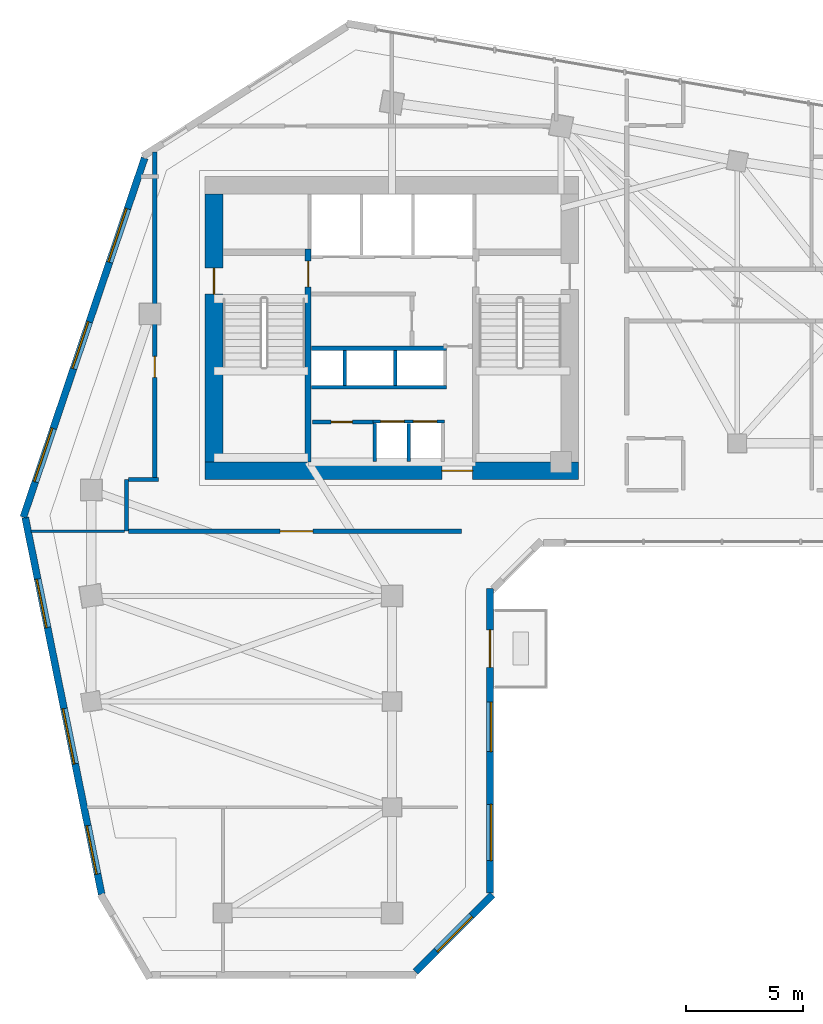
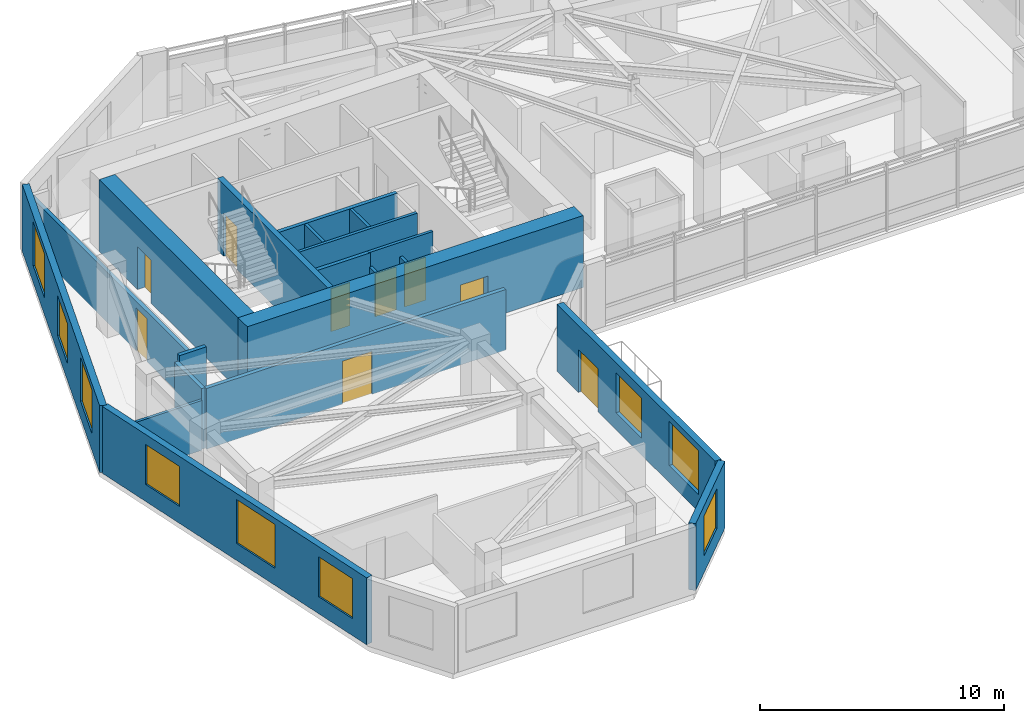
# One storey, part 4 of 10: 20 walls, 9 doors, 9 windows, 18 openings.
"""IFC4 building model written with IfcOpenShell, lengths in metres."""

from ifc_helpers import new_model, si_unit, direction, frame, frame_2d, origin, place, context, subcontext, project, spatial, rectangle, extrude, source, transform, mapped, material, layer, layer_set, type_object, element, fill, save


model = new_model("IFC4")

# Units and contexts
model_context = context("Model", 3, precision=1e-05, world=origin(), true_north=direction((0.0, 1.0)))
body_context = subcontext(model_context, "Body", "Model", "MODEL_VIEW")
ifc_project = project(units=[si_unit("LENGTHUNIT", "METRE"), si_unit("AREAUNIT", "SQUARE_METRE"), si_unit("VOLUMEUNIT", "CUBIC_METRE"), si_unit("PLANEANGLEUNIT", "RADIAN"), si_unit("MASSUNIT", "GRAM", prefix="KILO")], contexts=[model_context])

# Site, building, storey
site_placement = place(None, origin())
site = spatial("IfcSite", under=ifc_project, at=site_placement, CompositionType="ELEMENT")
building_placement = place(site_placement, origin())
building = spatial("IfcBuilding", under=site, at=building_placement, Name="Calvemar Wedge Station Tower", CompositionType="ELEMENT")
storey_placement = place(building_placement, frame((0.0, 0.0, 153.800048828125)))
storey = spatial("IfcBuildingStorey", under=building, at=storey_placement, Name="L38", CompositionType="ELEMENT", Elevation=153.800048828125)

# Wall, opening, door
ifc_material_1 = material(Name="Concrete C50", Category="concrete")
ifc_layer_1 = layer(ifc_material_1, 0.260009765625)
ifc_layer_set_1 = layer_set([ifc_layer_1], Name="Concrete C50")
wall_type_1 = type_object("IfcWallType", Name="SW-CORE-260", PredefinedType="SHEAR", material=ifc_layer_set_1)
wall_1_placement = place(storey_placement, frame((20.22998046875, 34.199951171875, 0.0), z_axis=(0.0, 0.0, 1.0), x_axis=(0.0, 1.0, 0.0)))
wall_1 = element("IfcWall", 1, at=wall_1_placement, inside=storey, type_object=wall_type_1, Name="Storey L38 Core Shear Wall SPINE-W", PredefinedType="SHEAR", context=body_context, shape_type="SweptSolid", body=[
    extrude(rectangle(XDim=9.06005859375, YDim=0.260009765625, at=frame_2d((4.530029296875, 0.0))), origin(), (0.0, 0.0, 1.0), 3.599853515625),
])
shared_shape_1 = source(origin(), body_context, "Body", "SweptSolid", [
    extrude(rectangle(XDim=1.10009765625, YDim=2.14990234375, at=frame_2d((0.550048828125, 1.074951171875))), frame((0.0, 0.14013671875, 0.0), z_axis=(0.0, -1.0, 0.0), x_axis=(1.0, 0.0, 0.0)), (0.0, 0.0, 1.0), 0.280029296875),
])
opening_1_placement = place(wall_1_placement, frame((7.449951171875, 0.0, 0.0)))
opening_1 = element("IfcOpeningElement", 2, at=opening_1_placement, cuts=wall_1, Name="Opening FD-90", PredefinedType="OPENING", context=body_context, shape_type="MappedRepresentation", body=[
    mapped(shared_shape_1, transform((0.0, 0.0, 0.0), scale=1.0)),
])
ifc_material_2 = material(Name="Galvanized fire-rated steel door leaf P-90", Category="steel")
door_type_1 = type_object("IfcDoorType", Name="DR-FD90-1100", OperationType="NOTDEFINED", PredefinedType="DOOR", material=ifc_material_2)
shared_shape_2 = source(origin(), body_context, "Body", "SweptSolid", [
    extrude(rectangle(XDim=1.10009765625, YDim=2.14990234375, at=frame_2d((0.550048828125, 1.074951171875))), frame((0.0, 0.02490234375, 0.0), z_axis=(0.0, -1.0, 0.0), x_axis=(1.0, 0.0, 0.0)), (0.0, 0.0, 1.0), 0.050048828125),
])
door_1_placement = place(opening_1_placement, origin())
door_1 = element("IfcDoor", 3, at=door_1_placement, inside=storey, type_object=door_type_1, Name="L38 FF Lobby to Stair ST-C1 Door", OperationType="SINGLE_SWING_LEFT", OverallHeight=2.14990234375, OverallWidth=1.10009765625, PredefinedType="DOOR", context=body_context, shape_type="MappedRepresentation", body=[
    mapped(shared_shape_2, transform((0.0, 0.0, 0.0), scale=1.0)),
])
fill(opening_1, door_1)

ifc_material_3 = material(Name="Concrete C70", Category="concrete")
ifc_layer_2 = layer(ifc_material_3, 0.75)
ifc_layer_set_2 = layer_set([ifc_layer_2], Name="Concrete C70")
wall_type_2 = type_object("IfcWallType", Name="SW-CORE-750", PredefinedType="SHEAR", material=ifc_layer_set_2)
wall_2_placement = place(storey_placement, frame((15.85009765625, 33.824951171875, 0.0), z_axis=(0.0, 0.0, 1.0), x_axis=(1.0, 0.0, 0.0)))
wall_2 = element("IfcWall", 4, at=wall_2_placement, inside=storey, type_object=wall_type_2, Name="Storey L38 Core Shear Wall S", PredefinedType="SHEAR", context=body_context, shape_type="SweptSolid", body=[
    extrude(rectangle(XDim=15.89990234375, YDim=0.75, at=frame_2d((7.949951171875, 0.0))), origin(), (0.0, 0.0, 1.0), 3.599853515625),
])
shared_shape_3 = source(origin(), body_context, "Body", "SweptSolid", [
    extrude(rectangle(XDim=1.300048828125, YDim=2.14990234375, at=frame_2d((0.64990234375, 1.074951171875))), frame((0.0, 0.385009765625, 0.0), z_axis=(0.0, -1.0, 0.0), x_axis=(1.0, 0.0, 0.0)), (0.0, 0.0, 1.0), 0.77001953125),
])
opening_2_placement = place(wall_2_placement, frame((10.080078125, 0.0, 0.0)))
opening_2 = element("IfcOpeningElement", 5, at=opening_2_placement, cuts=wall_2, Name="Opening DD-130", PredefinedType="OPENING", context=body_context, shape_type="MappedRepresentation", body=[
    mapped(shared_shape_3, transform((0.0, 0.0, 0.0), scale=1.0)),
])
ifc_material_4 = material(Name="Double-leaf lift lobby fire door EI 60")
door_type_2 = type_object("IfcDoorType", Name="DR-DBL-1300", OperationType="DOUBLE_DOOR_SINGLE_SWING", PredefinedType="DOOR", material=ifc_material_4)
shared_shape_4 = source(origin(), body_context, "Body", "SweptSolid", [
    extrude(rectangle(XDim=1.300048828125, YDim=2.14990234375, at=frame_2d((0.64990234375, 1.074951171875))), frame((0.0, 0.02490234375, 0.0), z_axis=(0.0, -1.0, 0.0), x_axis=(1.0, 0.0, 0.0)), (0.0, 0.0, 1.0), 0.050048828125),
])
door_2_placement = place(opening_2_placement, origin())
door_2 = element("IfcDoor", 6, at=door_2_placement, inside=storey, type_object=door_type_2, Name="L38 Passenger Lift Lobby Door", OperationType="DOUBLE_DOOR_SINGLE_SWING", OverallHeight=2.14990234375, OverallWidth=1.300048828125, PredefinedType="DOOR", context=body_context, shape_type="MappedRepresentation", body=[
    mapped(shared_shape_4, transform((0.0, 0.0, 0.0), scale=1.0)),
])
fill(opening_2, door_2)

wall_3_placement = place(storey_placement, frame((16.22509765625, 34.199951171875, 0.0), z_axis=(0.0, 0.0, 1.0), x_axis=(0.0, 1.0, 0.0)))
wall_3 = element("IfcWall", 7, at=wall_3_placement, inside=storey, type_object=wall_type_2, Name="Storey L38 Core Shear Wall W", PredefinedType="SHEAR", context=body_context, shape_type="SweptSolid", body=[
    extrude(rectangle(XDim=11.400146484375, YDim=0.75, at=frame_2d((5.7001953125, 0.0))), origin(), (0.0, 0.0, 1.0), 3.599853515625),
])
shared_shape_5 = source(origin(), body_context, "Body", "SweptSolid", [
    extrude(rectangle(XDim=1.10009765625, YDim=2.14990234375, at=frame_2d((0.550048828125, 1.074951171875))), frame((0.0, 0.385009765625, 0.0), z_axis=(0.0, -1.0, 0.0), x_axis=(1.0, 0.0, 0.0)), (0.0, 0.0, 1.0), 0.77001953125),
])
opening_3_placement = place(wall_3_placement, frame((7.14990234375, 0.0, 0.0)))
opening_3 = element("IfcOpeningElement", 8, at=opening_3_placement, cuts=wall_3, Name="Opening FD-90", PredefinedType="OPENING", context=body_context, shape_type="MappedRepresentation", body=[
    mapped(shared_shape_5, transform((0.0, 0.0, 0.0), scale=1.0)),
])
door_3_placement = place(opening_3_placement, origin())
door_3 = element("IfcDoor", 9, at=door_3_placement, inside=storey, type_object=door_type_1, Name="L38 West Corridor to Exit Stair ST-C1 Door", OperationType="SINGLE_SWING_LEFT", OverallHeight=2.14990234375, OverallWidth=1.10009765625, PredefinedType="DOOR", context=body_context, shape_type="MappedRepresentation", body=[
    mapped(shared_shape_2, transform((0.0, 0.0, 0.0), scale=1.0)),
])
fill(opening_3, door_3)

ifc_material_5 = material(Name="Double-stud fire-rated corridor partition")
ifc_layer_3 = layer(ifc_material_5, 0.179931640625)
ifc_layer_set_3 = layer_set([ifc_layer_3], Name="Double-stud fire-rated corridor partition")
wall_type_3 = type_object("IfcWallType", Name="W-CORR-180", PredefinedType="PARTITIONING", material=ifc_layer_set_3)
wall_4_placement = place(storey_placement, frame((20.419921875, 35.89990234375, 0.0), z_axis=(0.0, 0.0, 1.0), x_axis=(1.0, 0.0, 0.0)))
wall_4 = element("IfcWall", 10, at=wall_4_placement, inside=storey, type_object=wall_type_3, Name="Storey L38 Interior Partition WL-L38-004", PredefinedType="PARTITIONING", context=body_context, shape_type="SweptSolid", body=[
    extrude(rectangle(XDim=2.6201171875, YDim=0.179931640625, at=frame_2d((1.31005859375, 0.0))), origin(), (0.0, 0.0, 1.0), 3.349853515625),
])
shared_shape_6 = source(origin(), body_context, "Body", "SweptSolid", [
    extrude(rectangle(XDim=0.89990234375, YDim=2.14990234375, at=frame_2d((0.449951171875, 1.074951171875))), frame((0.0, 0.10009765625, 0.0), z_axis=(0.0, -1.0, 0.0), x_axis=(1.0, 0.0, 0.0)), (0.0, 0.0, 1.0), 0.199951171875),
])
opening_4_placement = place(wall_4_placement, frame((0.795654296875, 0.0, 0.0)))
opening_4 = element("IfcOpeningElement", 11, at=opening_4_placement, cuts=wall_4, Name="Opening FD-60", PredefinedType="OPENING", context=body_context, shape_type="MappedRepresentation", body=[
    mapped(shared_shape_6, transform((0.0, 0.0, 0.0), scale=1.0)),
])
ifc_material_6 = material(Name="Fire-rated acoustic timber-core entrance door EI 60", Category="wood")
door_type_3 = type_object("IfcDoorType", Name="DR-FD60-900", OperationType="NOTDEFINED", PredefinedType="DOOR", material=ifc_material_6)
shared_shape_7 = source(origin(), body_context, "Body", "SweptSolid", [
    extrude(rectangle(XDim=0.89990234375, YDim=2.14990234375, at=frame_2d((0.449951171875, 1.074951171875))), frame((0.0, 0.02490234375, 0.0), z_axis=(0.0, -1.0, 0.0), x_axis=(1.0, 0.0, 0.0)), (0.0, 0.0, 1.0), 0.050048828125),
])
door_4_placement = place(opening_4_placement, origin())
door_4 = element("IfcDoor", 12, at=door_4_placement, inside=storey, type_object=door_type_3, Name="L38 Housekeeping Store Door", OperationType="SINGLE_SWING_LEFT", OverallHeight=2.14990234375, OverallWidth=0.89990234375, PredefinedType="DOOR", context=body_context, shape_type="MappedRepresentation", body=[
    mapped(shared_shape_7, transform((0.0, 0.0, 0.0), scale=1.0)),
])
fill(opening_4, door_4)

# Walls
wall_5_placement = place(storey_placement, frame((12.5, 31.25, 0.0), z_axis=(0.0, 0.0, 1.0), x_axis=(0.0, 1.0, 0.0)))
element("IfcWall", 13, at=wall_5_placement, inside=storey, type_object=wall_type_3, Name="Storey L38 Interior Partition WL-L38-005", PredefinedType="PARTITIONING", context=body_context, shape_type="SweptSolid", body=[
    extrude(rectangle(XDim=2.199951171875, YDim=0.179931640625, at=frame_2d((1.10009765625, 0.0))), origin(), (0.0, 0.0, 1.0), 3.033935546875),
])
wall_6_placement = place(storey_placement, frame((12.593994140625, 33.449951171875, 0.0), z_axis=(0.0, 0.0, 1.0), x_axis=(1.0, 0.0, 0.0)))
element("IfcWall", 14, at=wall_6_placement, inside=storey, type_object=wall_type_3, Name="Storey L38 Interior Partition WL-L38-006", PredefinedType="PARTITIONING", context=body_context, shape_type="SweptSolid", body=[
    extrude(rectangle(XDim=1.26611328125, YDim=0.179931640625, at=frame_2d((0.633056640625, 0.0))), origin(), (0.0, 0.0, 1.0), 3.349853515625),
])

# Wall, opening, door
wall_7_placement = place(storey_placement, frame((26.760009765625, 31.25, 0.0), z_axis=(0.0, 0.0, 1.0), x_axis=(-1.0, 0.0, 0.0)))
wall_7 = element("IfcWall", 15, at=wall_7_placement, inside=storey, type_object=wall_type_3, Name="Storey L38 Interior Partition WL-L38-007", PredefinedType="PARTITIONING", context=body_context, shape_type="SweptSolid", body=[
    extrude(rectangle(XDim=14.166015625, YDim=0.179931640625, at=frame_2d((7.0830078125, 0.0))), origin(), (0.0, 0.0, 1.0), 3.033935546875),
])
shared_shape_8 = source(origin(), body_context, "Body", "SweptSolid", [
    extrude(rectangle(XDim=1.39990234375, YDim=2.14990234375, at=frame_2d((0.699951171875, 1.074951171875))), frame((0.0, 0.10009765625, 0.0), z_axis=(0.0, -1.0, 0.0), x_axis=(1.0, 0.0, 0.0)), (0.0, 0.0, 1.0), 0.199951171875),
])
opening_5_placement = place(wall_7_placement, frame((6.322509765625, 0.0, 0.0)))
opening_5 = element("IfcOpeningElement", 16, at=opening_5_placement, cuts=wall_7, Name="Opening DD-140", PredefinedType="OPENING", context=body_context, shape_type="MappedRepresentation", body=[
    mapped(shared_shape_8, transform((0.0, 0.0, 0.0), scale=1.0)),
])
ifc_material_7 = material(Name="Double-leaf corridor acoustic fire door EI 60")
door_type_4 = type_object("IfcDoorType", Name="DR-DBL-1400", OperationType="DOUBLE_DOOR_SINGLE_SWING", PredefinedType="DOOR", material=ifc_material_7)
shared_shape_9 = source(origin(), body_context, "Body", "SweptSolid", [
    extrude(rectangle(XDim=1.39990234375, YDim=2.14990234375, at=frame_2d((0.699951171875, 1.074951171875))), frame((0.0, 0.02490234375, 0.0), z_axis=(0.0, -1.0, 0.0), x_axis=(1.0, 0.0, 0.0)), (0.0, 0.0, 1.0), 0.050048828125),
])
door_5_placement = place(opening_5_placement, origin())
door_5 = element("IfcDoor", 17, at=door_5_placement, inside=storey, type_object=door_type_4, Name="L38 Sky Spa Wellness Lounge Door", OperationType="SINGLE_SWING_LEFT", OverallHeight=2.14990234375, OverallWidth=1.39990234375, PredefinedType="DOOR", context=body_context, shape_type="MappedRepresentation", body=[
    mapped(shared_shape_9, transform((0.0, 0.0, 0.0), scale=1.0)),
])
fill(opening_5, door_5)

wall_8_placement = place(storey_placement, frame((13.699951171875, 33.5439453125, 0.0), z_axis=(0.0, 0.0, 1.0), x_axis=(0.0, 1.0, 0.0)))
wall_8 = element("IfcWall", 18, at=wall_8_placement, inside=storey, type_object=wall_type_3, Name="Storey L38 Interior Partition WL-L38-008", PredefinedType="PARTITIONING", context=body_context, shape_type="SweptSolid", body=[
    extrude(rectangle(XDim=13.860107421875, YDim=0.179931640625, at=frame_2d((6.93017578125, 0.0))), origin(), (0.0, 0.0, 1.0), 2.491943359375),
])
opening_6_placement = place(wall_8_placement, frame((4.252685546875, 0.0, 0.0)))
opening_6 = element("IfcOpeningElement", 19, at=opening_6_placement, cuts=wall_8, Name="Opening D-01", PredefinedType="OPENING", context=body_context, shape_type="MappedRepresentation", body=[
    mapped(shared_shape_6, transform((0.0, 0.0, 0.0), scale=1.0)),
])
ifc_material_8 = material(Name="Architectural hardwood acoustic swing door", Category="wood")
door_type_5 = type_object("IfcDoorType", Name="DR-INT-900", OperationType="NOTDEFINED", PredefinedType="DOOR", material=ifc_material_8)
shared_shape_10 = source(origin(), body_context, "Body", "SweptSolid", [
    extrude(rectangle(XDim=0.89990234375, YDim=2.14990234375, at=frame_2d((0.449951171875, 1.074951171875))), frame((0.0, 0.02490234375, 0.0), z_axis=(0.0, -1.0, 0.0), x_axis=(1.0, 0.0, 0.0)), (0.0, 0.0, 1.0), 0.050048828125),
])
door_6_placement = place(opening_6_placement, origin())
door_6 = element("IfcDoor", 20, at=door_6_placement, inside=storey, type_object=door_type_5, Name="L38 Executive Lounge Door", OperationType="SINGLE_SWING_RIGHT", OverallHeight=2.14990234375, OverallWidth=0.89990234375, PredefinedType="DOOR", context=body_context, shape_type="MappedRepresentation", body=[
    mapped(shared_shape_10, transform((0.0, 0.0, 0.0), scale=1.0)),
])
fill(opening_6, door_6)

# Wall, opening, window
ifc_material_9 = material(Name="Precast concrete C45", Category="concrete")
ifc_layer_4 = layer(ifc_material_9, 0.300048828125)
ifc_layer_set_4 = layer_set([ifc_layer_4], Name="Precast concrete C45")
wall_type_4 = type_object("IfcWallType", Name="W-EXT-GFRC-300", PredefinedType="SOLIDWALL", material=ifc_layer_set_4)
wall_9_placement = place(storey_placement, frame((24.803955078125, 12.488037109375, 0.0), z_axis=(0.0, 0.0, 1.0), x_axis=(0.70708046583, 0.707133095564, 0.0)))
wall_9 = element("IfcWall", 21, at=wall_9_placement, inside=storey, type_object=wall_type_4, Name="Storey L38 Bronze GFRC Exterior Wall 3", PredefinedType="SOLIDWALL", context=body_context, shape_type="SweptSolid", body=[
    extrude(rectangle(XDim=4.638916015625, YDim=0.300048828125, at=frame_2d((2.3193359375, 0.0))), origin(), (0.0, 0.0, 1.0), 3.349853515625),
])
shared_shape_11 = source(origin(), body_context, "Body", "SweptSolid", [
    extrude(rectangle(XDim=2.10009765625, YDim=2.0, at=frame_2d((1.050048828125, 1.0))), frame((0.0, 0.16015625, 0.0), z_axis=(0.0, -1.0, 0.0), x_axis=(1.0, 0.0, 0.0)), (0.0, 0.0, 1.0), 0.320068359375),
])
opening_7_placement = place(wall_9_placement, frame((1.26904296875, 0.0, 0.85009765625)))
opening_7 = element("IfcOpeningElement", 22, at=opening_7_placement, cuts=wall_9, Name="Opening W4", PredefinedType="OPENING", context=body_context, shape_type="MappedRepresentation", body=[
    mapped(shared_shape_11, transform((0.0, 0.0, 0.0), scale=1.0)),
])
ifc_material_10 = material(Name="Low-E laminated insulated glass", Category="glass")
window_type_1 = type_object("IfcWindowType", Name="WIN-EXT-4", PartitioningType="SINGLE_PANEL", PredefinedType="WINDOW", material=ifc_material_10)
shared_shape_12 = source(origin(), body_context, "Body", "SweptSolid", [
    extrude(rectangle(XDim=2.10009765625, YDim=2.0, at=frame_2d((1.050048828125, 1.0))), frame((0.0, -0.014892578125, 0.0), z_axis=(0.0, -1.0, 0.0), x_axis=(1.0, 0.0, 0.0)), (0.0, 0.0, 1.0), 0.06005859375),
])
window_1_placement = place(opening_7_placement, origin())
window_1 = element("IfcWindow", 23, at=window_1_placement, inside=storey, type_object=window_type_1, Name="Storey L38 Recessed Window 3.1", OverallHeight=2.0, OverallWidth=2.10009765625, PartitioningType="SINGLE_PANEL", PredefinedType="WINDOW", context=body_context, shape_type="MappedRepresentation", body=[
    mapped(shared_shape_12, transform((0.0, 0.0, 0.0), scale=1.0)),
])
fill(opening_7, window_1)

# Wall, openings, windows, door
wall_10_placement = place(storey_placement, frame((27.97802734375, 15.857421875, 0.0), z_axis=(0.0, 0.0, 1.0), x_axis=(0.0, 1.0, 0.0)))
wall_10 = element("IfcWall", 24, at=wall_10_placement, inside=storey, type_object=wall_type_4, Name="Storey L38 Bronze GFRC Exterior Wall 4", PredefinedType="SOLIDWALL", context=body_context, shape_type="SweptSolid", body=[
    extrude(rectangle(XDim=12.94677734375, YDim=0.300048828125, at=frame_2d((6.473388671875, 0.0))), origin(), (0.0, 0.0, 1.0), 3.349853515625),
])
shared_shape_13 = source(origin(), body_context, "Body", "SweptSolid", [
    extrude(rectangle(XDim=1.60009765625, YDim=2.14990234375, at=frame_2d((0.800048828125, 1.074951171875))), frame((0.0, 0.16015625, 0.0), z_axis=(0.0, -1.0, 0.0), x_axis=(1.0, 0.0, 0.0)), (0.0, 0.0, 1.0), 0.320068359375),
])
opening_8_placement = place(wall_10_placement, frame((9.593017578125, 0.0, 0.0)))
opening_8 = element("IfcOpeningElement", 25, at=opening_8_placement, cuts=wall_10, Name="Opening DT1", PredefinedType="OPENING", context=body_context, shape_type="MappedRepresentation", body=[
    mapped(shared_shape_13, transform((0.0, 0.0, 0.0), scale=1.0)),
])
shared_shape_14 = source(origin(), body_context, "Body", "SweptSolid", [
    extrude(rectangle(XDim=2.39990234375, YDim=2.199951171875, at=frame_2d((1.199951171875, 1.10009765625))), frame((0.0, 0.16015625, 0.0), z_axis=(0.0, -1.0, 0.0), x_axis=(1.0, 0.0, 0.0)), (0.0, 0.0, 1.0), 0.320068359375),
])
opening_9_placement = place(wall_10_placement, frame((1.367919921875, 0.0, 0.85009765625)))
opening_9 = element("IfcOpeningElement", 26, at=opening_9_placement, cuts=wall_10, Name="Opening W1", PredefinedType="OPENING", context=body_context, shape_type="MappedRepresentation", body=[
    mapped(shared_shape_14, transform((0.0, 0.0, 0.0), scale=1.0)),
])
opening_10_placement = place(wall_10_placement, frame((6.014892578125, 0.0, 0.85009765625)))
opening_10 = element("IfcOpeningElement", 27, at=opening_10_placement, cuts=wall_10, Name="Opening W4", PredefinedType="OPENING", context=body_context, shape_type="MappedRepresentation", body=[
    mapped(shared_shape_11, transform((0.0, 0.0, 0.0), scale=1.0)),
])
window_2_placement = place(opening_10_placement, origin())
window_2 = element("IfcWindow", 28, at=window_2_placement, inside=storey, type_object=window_type_1, Name="Storey L38 Recessed Window 4.2", OverallHeight=2.0, OverallWidth=2.10009765625, PartitioningType="SINGLE_PANEL", PredefinedType="WINDOW", context=body_context, shape_type="MappedRepresentation", body=[
    mapped(shared_shape_12, transform((0.0, 0.0, 0.0), scale=1.0)),
])
fill(opening_10, window_2)
window_type_2 = type_object("IfcWindowType", Name="WIN-EXT-1", PartitioningType="SINGLE_PANEL", PredefinedType="WINDOW", material=ifc_material_10)
shared_shape_15 = source(origin(), body_context, "Body", "SweptSolid", [
    extrude(rectangle(XDim=2.39990234375, YDim=2.199951171875, at=frame_2d((1.199951171875, 1.10009765625))), frame((0.0, -0.014892578125, 0.0), z_axis=(0.0, -1.0, 0.0), x_axis=(1.0, 0.0, 0.0)), (0.0, 0.0, 1.0), 0.06005859375),
])
window_3_placement = place(opening_9_placement, origin())
window_3 = element("IfcWindow", 29, at=window_3_placement, inside=storey, type_object=window_type_2, Name="Storey L38 Recessed Window 4.1", OverallHeight=2.199951171875, OverallWidth=2.39990234375, PartitioningType="SINGLE_PANEL", PredefinedType="WINDOW", context=body_context, shape_type="MappedRepresentation", body=[
    mapped(shared_shape_15, transform((0.0, 0.0, 0.0), scale=1.0)),
])
fill(opening_9, window_3)
ifc_material_11 = material(Name="Anodised aluminium 6063-T6", Category="aluminium")
door_type_6 = type_object("IfcDoorType", Name="DR-TERR-1600", OperationType="DOUBLE_DOOR_SLIDING", PredefinedType="DOOR", material=ifc_material_11)
shared_shape_16 = source(origin(), body_context, "Body", "SweptSolid", [
    extrude(rectangle(XDim=1.60009765625, YDim=2.14990234375, at=frame_2d((0.800048828125, 1.074951171875))), frame((0.0, 0.02490234375, 0.0), z_axis=(0.0, -1.0, 0.0), x_axis=(1.0, 0.0, 0.0)), (0.0, 0.0, 1.0), 0.050048828125),
])
door_7_placement = place(opening_8_placement, origin())
door_7 = element("IfcDoor", 30, at=door_7_placement, inside=storey, type_object=door_type_6, Name="Storey L38 Spiral Terrace Door", OperationType="DOUBLE_DOOR_SLIDING", OverallHeight=2.14990234375, OverallWidth=1.60009765625, PredefinedType="DOOR", context=body_context, shape_type="MappedRepresentation", body=[
    mapped(shared_shape_16, transform((0.0, 0.0, 0.0), scale=1.0)),
])
fill(opening_8, door_7)

# Wall, openings, windows
wall_11_placement = place(storey_placement, frame((13.2685546875, 47.1337890625, 0.0), z_axis=(0.0, 0.0, 1.0), x_axis=(-0.319929773322, -0.947441259468, 0.0)))
wall_11 = element("IfcWall", 31, at=wall_11_placement, inside=storey, type_object=wall_type_4, Name="Storey L38 Bronze GFRC Exterior Wall 12", PredefinedType="SOLIDWALL", context=body_context, shape_type="SweptSolid", body=[
    extrude(rectangle(XDim=16.133544921875, YDim=0.300048828125, at=frame_2d((8.06689453125, 0.0))), origin(), (0.0, 0.0, 1.0), 3.349853515625),
])
opening_11_placement = place(wall_11_placement, frame((2.27587890625, 0.0, 0.85009765625)))
opening_11 = element("IfcOpeningElement", 32, at=opening_11_placement, cuts=wall_11, Name="Opening W1", PredefinedType="OPENING", context=body_context, shape_type="MappedRepresentation", body=[
    mapped(shared_shape_14, transform((0.0, 0.0, 0.0), scale=1.0)),
])
opening_12_placement = place(wall_11_placement, frame((7.361083984375, 0.0, 0.85009765625)))
opening_12 = element("IfcOpeningElement", 33, at=opening_12_placement, cuts=wall_11, Name="Opening W4", PredefinedType="OPENING", context=body_context, shape_type="MappedRepresentation", body=[
    mapped(shared_shape_11, transform((0.0, 0.0, 0.0), scale=1.0)),
])
opening_13_placement = place(wall_11_placement, frame((12.14599609375, 0.0, 0.85009765625)))
opening_13 = element("IfcOpeningElement", 34, at=opening_13_placement, cuts=wall_11, Name="Opening W1", PredefinedType="OPENING", context=body_context, shape_type="MappedRepresentation", body=[
    mapped(shared_shape_14, transform((0.0, 0.0, 0.0), scale=1.0)),
])
window_4_placement = place(opening_12_placement, origin())
window_4 = element("IfcWindow", 35, at=window_4_placement, inside=storey, type_object=window_type_1, Name="Storey L38 Recessed Window 12.2", OverallHeight=2.0, OverallWidth=2.10009765625, PartitioningType="SINGLE_PANEL", PredefinedType="WINDOW", context=body_context, shape_type="MappedRepresentation", body=[
    mapped(shared_shape_12, transform((0.0, 0.0, 0.0), scale=1.0)),
])
fill(opening_12, window_4)
window_5_placement = place(opening_11_placement, origin())
window_5 = element("IfcWindow", 36, at=window_5_placement, inside=storey, type_object=window_type_2, Name="Storey L38 Recessed Window 12.1", OverallHeight=2.199951171875, OverallWidth=2.39990234375, PartitioningType="SINGLE_PANEL", PredefinedType="WINDOW", context=body_context, shape_type="MappedRepresentation", body=[
    mapped(shared_shape_15, transform((0.0, 0.0, 0.0), scale=1.0)),
])
fill(opening_11, window_5)
window_6_placement = place(opening_13_placement, origin())
window_6 = element("IfcWindow", 37, at=window_6_placement, inside=storey, type_object=window_type_2, Name="Storey L38 Recessed Window 12.3", OverallHeight=2.199951171875, OverallWidth=2.39990234375, PartitioningType="SINGLE_PANEL", PredefinedType="WINDOW", context=body_context, shape_type="MappedRepresentation", body=[
    mapped(shared_shape_15, transform((0.0, 0.0, 0.0), scale=1.0)),
])
fill(opening_13, window_6)

wall_12_placement = place(storey_placement, frame((8.186767578125, 31.833740234375, 0.0), z_axis=(0.0, 0.0, 1.0), x_axis=(0.198869838988, -0.980025911464, 0.0)))
wall_12 = element("IfcWall", 38, at=wall_12_placement, inside=storey, type_object=wall_type_4, Name="Storey L38 Bronze GFRC Exterior Wall 13", PredefinedType="SOLIDWALL", context=body_context, shape_type="SweptSolid", body=[
    extrude(rectangle(XDim=16.36328125, YDim=0.300048828125, at=frame_2d((8.181640625, 0.0))), origin(), (0.0, 0.0, 1.0), 3.349853515625),
])
opening_14_placement = place(wall_12_placement, frame((2.676025390625, 0.0, 0.85009765625)))
opening_14 = element("IfcOpeningElement", 39, at=opening_14_placement, cuts=wall_12, Name="Opening W4", PredefinedType="OPENING", context=body_context, shape_type="MappedRepresentation", body=[
    mapped(shared_shape_11, transform((0.0, 0.0, 0.0), scale=1.0)),
])
opening_15_placement = place(wall_12_placement, frame((8.301025390625, 0.0, 0.85009765625)))
opening_15 = element("IfcOpeningElement", 40, at=opening_15_placement, cuts=wall_12, Name="Opening W1", PredefinedType="OPENING", context=body_context, shape_type="MappedRepresentation", body=[
    mapped(shared_shape_14, transform((0.0, 0.0, 0.0), scale=1.0)),
])
opening_16_placement = place(wall_12_placement, frame((13.385986328125, 0.0, 0.85009765625)))
opening_16 = element("IfcOpeningElement", 41, at=opening_16_placement, cuts=wall_12, Name="Opening W4", PredefinedType="OPENING", context=body_context, shape_type="MappedRepresentation", body=[
    mapped(shared_shape_11, transform((0.0, 0.0, 0.0), scale=1.0)),
])
window_7_placement = place(opening_14_placement, origin())
window_7 = element("IfcWindow", 42, at=window_7_placement, inside=storey, type_object=window_type_1, Name="Storey L38 Recessed Window 13.1", OverallHeight=2.0, OverallWidth=2.10009765625, PartitioningType="SINGLE_PANEL", PredefinedType="WINDOW", context=body_context, shape_type="MappedRepresentation", body=[
    mapped(shared_shape_12, transform((0.0, 0.0, 0.0), scale=1.0)),
])
fill(opening_14, window_7)
window_8_placement = place(opening_16_placement, origin())
window_8 = element("IfcWindow", 43, at=window_8_placement, inside=storey, type_object=window_type_1, Name="Storey L38 Recessed Window 13.3", OverallHeight=2.0, OverallWidth=2.10009765625, PartitioningType="SINGLE_PANEL", PredefinedType="WINDOW", context=body_context, shape_type="MappedRepresentation", body=[
    mapped(shared_shape_12, transform((0.0, 0.0, 0.0), scale=1.0)),
])
fill(opening_16, window_8)
window_9_placement = place(opening_15_placement, origin())
window_9 = element("IfcWindow", 44, at=window_9_placement, inside=storey, type_object=window_type_2, Name="Storey L38 Recessed Window 13.2", OverallHeight=2.199951171875, OverallWidth=2.39990234375, PartitioningType="SINGLE_PANEL", PredefinedType="WINDOW", context=body_context, shape_type="MappedRepresentation", body=[
    mapped(shared_shape_15, transform((0.0, 0.0, 0.0), scale=1.0)),
])
fill(opening_15, window_9)

# Wall, openings, doors
ifc_material_12 = material(Name="Reinforced concrete blockwork lift shaft wall", Category="masonry")
ifc_layer_5 = layer(ifc_material_12, 0.139892578125)
ifc_layer_set_5 = layer_set([ifc_layer_5], Name="Reinforced concrete blockwork lift shaft wall")
wall_type_5 = type_object("IfcWallType", Name="W-LIFT-160", PredefinedType="SOLIDWALL", material=ifc_layer_set_5)
wall_13_placement = place(storey_placement, frame((23.0, 35.919921875, 0.0), z_axis=(0.0, 0.0, 1.0), x_axis=(1.0, 0.0, 0.0)))
wall_13 = element("IfcWall", 45, at=wall_13_placement, inside=storey, type_object=wall_type_5, Name="Storey L38 South Passenger Lift Bank Front Wall", PredefinedType="SOLIDWALL", context=body_context, shape_type="SweptSolid", body=[
    extrude(rectangle(XDim=3.030029296875, YDim=0.139892578125, at=frame_2d((1.51513671875, 0.0))), origin(), (0.0, 0.0, 1.0), 3.349853515625),
])
shared_shape_17 = source(origin(), body_context, "Body", "SweptSolid", [
    extrude(rectangle(XDim=1.0, YDim=2.14990234375, at=frame_2d((0.5, 1.074951171875))), frame((0.0, 0.080078125, 0.0), z_axis=(0.0, -1.0, 0.0), x_axis=(1.0, 0.0, 0.0)), (0.0, 0.0, 1.0), 0.159912109375),
])
opening_17_placement = place(wall_13_placement, frame((0.320068359375, 0.0, 0.0)))
opening_17 = element("IfcOpeningElement", 46, at=opening_17_placement, cuts=wall_13, Name="Opening LD-PAX", PredefinedType="OPENING", context=body_context, shape_type="MappedRepresentation", body=[
    mapped(shared_shape_17, transform((0.0, 0.0, 0.0), scale=1.0)),
])
opening_18_placement = place(wall_13_placement, frame((1.7099609375, 0.0, 0.0)))
opening_18 = element("IfcOpeningElement", 47, at=opening_18_placement, cuts=wall_13, Name="Opening LD-PAX", PredefinedType="OPENING", context=body_context, shape_type="MappedRepresentation", body=[
    mapped(shared_shape_17, transform((0.0, 0.0, 0.0), scale=1.0)),
])
ifc_material_13 = material(Name="Anodised bronze passenger lift sliding landing door")
door_type_7 = type_object("IfcDoorType", Name="DR-LD-PAX-1000", OperationType="SLIDING_TO_LEFT", PredefinedType="DOOR", material=ifc_material_13)
shared_shape_18 = source(origin(), body_context, "Body", "SweptSolid", [
    extrude(rectangle(XDim=1.0, YDim=2.14990234375, at=frame_2d((0.5, 1.074951171875))), frame((0.0, 0.02490234375, 0.0), z_axis=(0.0, -1.0, 0.0), x_axis=(1.0, 0.0, 0.0)), (0.0, 0.0, 1.0), 0.050048828125),
])
door_8_placement = place(opening_17_placement, origin())
door_8 = element("IfcDoor", 48, at=door_8_placement, inside=storey, type_object=door_type_7, Name="L38 Lift HL-01 Sliding Landing Door", OperationType="SLIDING_TO_LEFT", OverallHeight=2.14990234375, OverallWidth=1.0, PredefinedType="DOOR", context=body_context, shape_type="MappedRepresentation", body=[
    mapped(shared_shape_18, transform((0.0, 0.0, 0.0), scale=1.0)),
])
fill(opening_17, door_8)
door_9_placement = place(opening_18_placement, origin())
door_9 = element("IfcDoor", 49, at=door_9_placement, inside=storey, type_object=door_type_7, Name="L38 Lift HL-02 Sliding Landing Door", OperationType="SLIDING_TO_RIGHT", OverallHeight=2.14990234375, OverallWidth=1.0, PredefinedType="DOOR", context=body_context, shape_type="MappedRepresentation", body=[
    mapped(shared_shape_18, transform((0.0, 0.0, 0.0), scale=1.0)),
])
fill(opening_18, door_9)

# Walls
for number, where, z_axis, x_axis, name in (
    (50, (23.070068359375, 34.219970703125, 0.0), (0.0, 0.0, 1.0), (0.0, 1.0, 0.0), "Storey L38 South Passenger Lift Shaft Wall W"),
    (51, (24.514892578125, 34.219970703125, 0.0), (0.0, 0.0, 1.0), (0.0, 1.0, 0.0), "Storey L38 South Passenger Lift Shaft Wall D1"),
):
    element("IfcWall", number, at=place(storey_placement, frame(where, z_axis=z_axis, x_axis=x_axis)), inside=storey, type_object=wall_type_5, Name=name, PredefinedType="SOLIDWALL", context=body_context, shape_type="SweptSolid", body=[
        extrude(rectangle(XDim=1.6201171875, YDim=0.139892578125, at=frame_2d((0.81005859375, 0.0))), origin(), (0.0, 0.0, 1.0), 2.641845703125),
    ])
wall_14_placement = place(storey_placement, frame((20.3798828125, 37.3798828125, 0.0), z_axis=(0.0, 0.0, 1.0), x_axis=(1.0, 0.0, 0.0)))
element("IfcWall", 52, at=wall_14_placement, inside=storey, type_object=wall_type_5, Name="Storey L38 Upper Passenger Lift Bank Front Wall", PredefinedType="SOLIDWALL", context=body_context, shape_type="SweptSolid", body=[
    extrude(rectangle(XDim=5.75, YDim=0.139892578125, at=frame_2d((2.875, 0.0))), origin(), (0.0, 0.0, 1.0), 3.349853515625),
])
for number, where, z_axis, x_axis, name in (
    (53, (21.794921875, 37.4599609375, 0.0), (0.0, 0.0, 1.0), (0.0, 1.0, 0.0), "Storey L38 Upper Passenger Lift Shaft Wall D1"),
    (54, (23.93505859375, 37.4599609375, 0.0), (0.0, 0.0, 1.0), (0.0, 1.0, 0.0), "Storey L38 Upper Passenger Lift Shaft Wall D2"),
):
    element("IfcWall", number, at=place(storey_placement, frame(where, z_axis=z_axis, x_axis=x_axis)), inside=storey, type_object=wall_type_5, Name=name, PredefinedType="SOLIDWALL", context=body_context, shape_type="SweptSolid", body=[
        extrude(rectangle(XDim=1.47998046875, YDim=0.139892578125, at=frame_2d((0.739990234375, 0.0))), origin(), (0.0, 0.0, 1.0), 3.349853515625),
    ])
ifc_material_14 = material(Name="Insulated acoustic gypsum stud partition")
ifc_layer_6 = layer(ifc_material_14, 0.125)
ifc_layer_set_6 = layer_set([ifc_layer_6], Name="Insulated acoustic gypsum stud partition")
wall_type_6 = type_object("IfcWallType", Name="W-PART-125", PredefinedType="PARTITIONING", material=ifc_layer_set_6)
wall_15_placement = place(storey_placement, frame((12.406005859375, 31.25, 0.0), z_axis=(0.0, 0.0, 1.0), x_axis=(-1.0, 0.0, 0.0)))
element("IfcWall", 55, at=wall_15_placement, inside=storey, type_object=wall_type_6, Name="Storey L38 Interior Partition WL-L38-015", PredefinedType="PARTITIONING", context=body_context, shape_type="SweptSolid", body=[
    extrude(rectangle(XDim=3.9833984375, YDim=0.125, at=frame_2d((1.99169921875, 0.0))), origin(), (0.0, 0.0, 1.0), 2.491943359375),
])
ifc_material_15 = material(Name="Concrete blockwork and fireboard shaft wall", Category="masonry")
ifc_layer_7 = layer(ifc_material_15, 0.199951171875)
ifc_layer_set_7 = layer_set([ifc_layer_7], Name="Concrete blockwork and fireboard shaft wall")
wall_type_7 = type_object("IfcWallType", Name="W-SHAFT-200", PredefinedType="SOLIDWALL", material=ifc_layer_set_7)
wall_16_placement = place(storey_placement, frame((20.3798828125, 39.0400390625, 0.0), z_axis=(0.0, 0.0, 1.0), x_axis=(1.0, 0.0, 0.0)))
element("IfcWall", 56, at=wall_16_placement, inside=storey, type_object=wall_type_7, Name="Storey L38 Upper Passenger Lift Bank Rear Shaft Wall", PredefinedType="SOLIDWALL", context=body_context, shape_type="SweptSolid", body=[
    extrude(rectangle(XDim=5.75, YDim=0.179931640625, at=frame_2d((2.875, 0.0))), origin(), (0.0, 0.0, 1.0), 3.349853515625),
])

save(model, "model.ifc")
